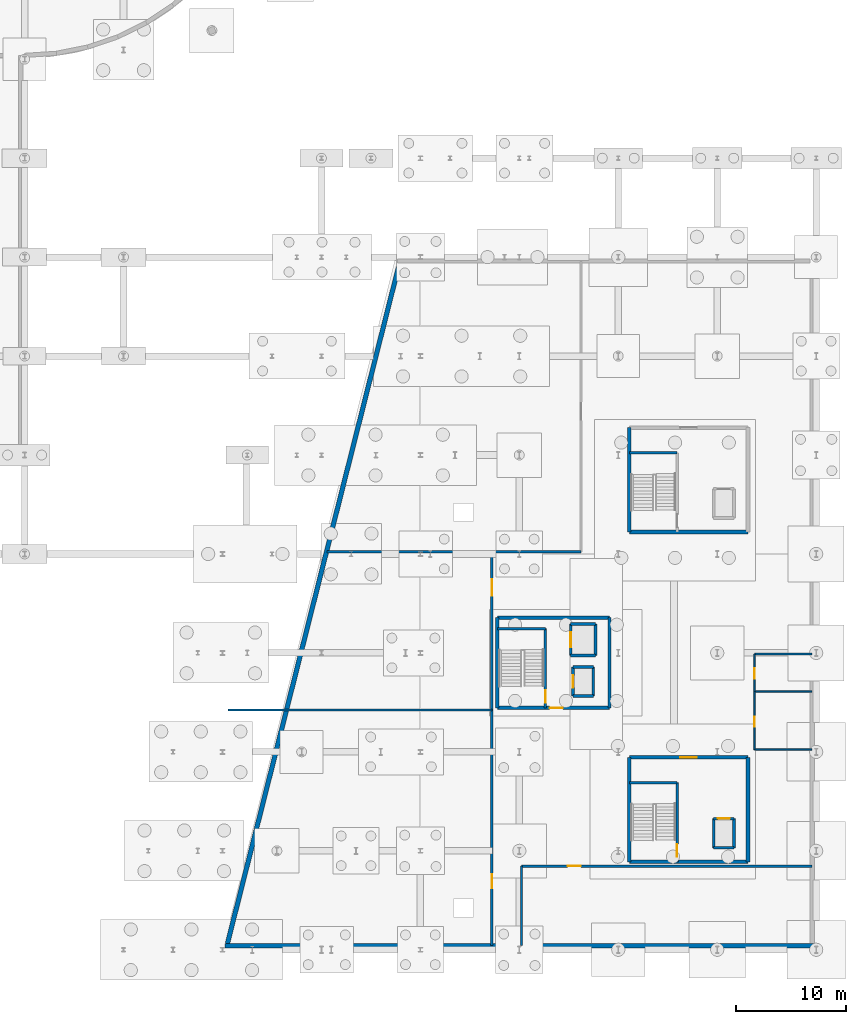
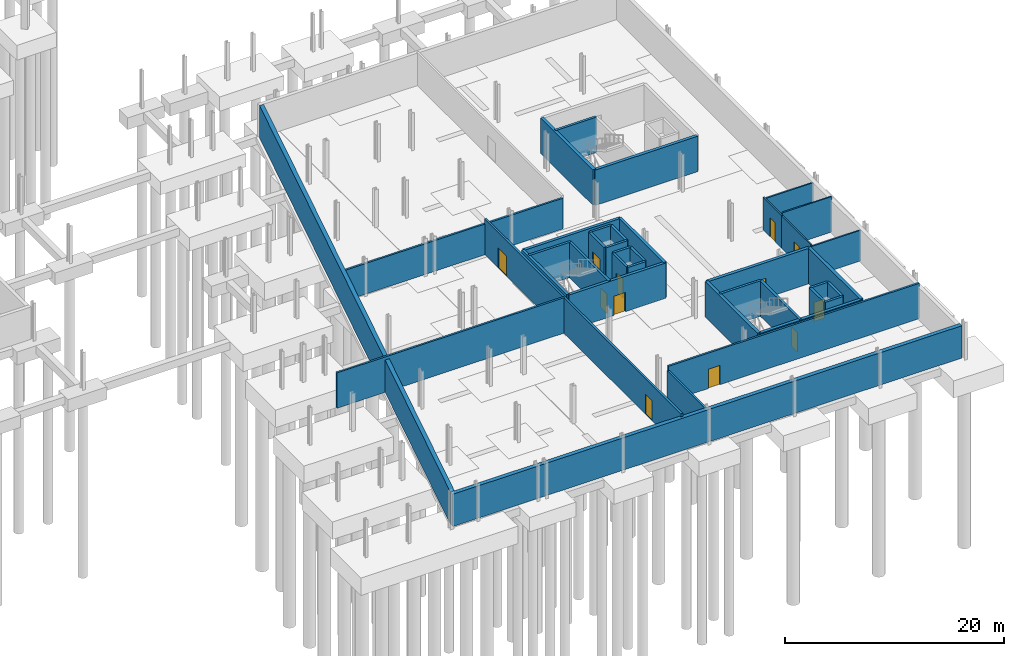
# One storey, part 37 of 42: 39 walls, 12 doors, 12 openings.
"""IFC4 building model written with IfcOpenShell, lengths in metres."""

from ifc_helpers import new_model, si_unit, direction, frame, frame_2d, origin, place, context, subcontext, project, spatial, rectangle, extrude, material, layer, layer_set, type_object, element, fill, save


model = new_model("IFC4")

# Units and contexts
model_context = context("Model", 3, precision=1e-05, world=origin(), true_north=direction((0.0, 1.0)))
body_context = subcontext(model_context, "Body", "Model", "MODEL_VIEW")
ifc_project = project(units=[si_unit("LENGTHUNIT", "METRE"), si_unit("AREAUNIT", "SQUARE_METRE"), si_unit("VOLUMEUNIT", "CUBIC_METRE"), si_unit("PLANEANGLEUNIT", "RADIAN"), si_unit("MASSUNIT", "GRAM", prefix="KILO")], contexts=[model_context])

# Site, building, storey
site_placement = place(None, origin())
site = spatial("IfcSite", under=ifc_project, at=site_placement, CompositionType="ELEMENT")
building_placement = place(site_placement, origin())
building = spatial("IfcBuilding", under=site, at=building_placement, Name="Deido Ridge Mobility Hub", CompositionType="ELEMENT")
storey_placement = place(building_placement, frame((0.0, 0.0, -4.199951171875)))
storey = spatial("IfcBuildingStorey", under=building, at=storey_placement, Name="B1", CompositionType="ELEMENT", Elevation=-4.199951171875)

# Wall, opening, door
ifc_material_1 = material(Name="Concrete blockwork masonry", Category="masonry")
ifc_layer_1 = layer(ifc_material_1, 0.14990234375, Name="Concrete blockwork masonry")
ifc_layer_set_1 = layer_set([ifc_layer_1], Name="Concrete blockwork masonry")
wall_type_1 = type_object("IfcWallType", Name="WL-PRT-BLK-150", PredefinedType="PARTITIONING", material=ifc_layer_set_1)
wall_1_placement = place(storey_placement, frame((174.39990234375, 18.199951171875, 0.0), z_axis=(0.0, 0.0, 1.0), x_axis=(0.0, 1.0, 0.0)))
wall_1 = element("IfcWall", 1, at=wall_1_placement, inside=storey, type_object=wall_type_1, Name="B1 staff WC west wall", PredefinedType="PARTITIONING", context=body_context, shape_type="SweptSolid", body=[
    extrude(rectangle(XDim=5.300048828125, YDim=0.14990234375, at=frame_2d((2.64990234375, 0.0))), origin(), (0.0, 0.0, 1.0), 3.614990234375),
])
opening_1_placement = place(wall_1_placement, frame((2.10009765625, 0.0, 0.0)))
opening_1 = element("IfcOpeningElement", 2, at=opening_1_placement, cuts=wall_1, Name="Opening DR-B1-135", PredefinedType="OPENING", context=body_context, shape_type="SweptSolid", body=[
    extrude(rectangle(XDim=0.89990234375, YDim=2.10009765625, at=frame_2d((0.449951171875, 1.050048828125))), frame((0.0, 0.0849609375, 0.0), z_axis=(0.0, -1.0, 0.0), x_axis=(1.0, 0.0, 0.0)), (0.0, 0.0, 1.0), 0.169921875),
])
ifc_material_2 = material(Name="Treated tropical hardwood timber D40", Category="wood")
door_type_1 = type_object("IfcDoorType", Name="DR-INT-900X2100", OperationType="NOTDEFINED", PredefinedType="DOOR", material=ifc_material_2)
door_1_placement = place(opening_1_placement, origin())
door_1 = element("IfcDoor", 3, at=door_1_placement, inside=storey, type_object=door_type_1, Name="DR-I0135 Staff accessible WC door B1", OperationType="SINGLE_SWING_RIGHT", OverallHeight=2.10009765625, OverallWidth=0.89990234375, PredefinedType="DOOR", context=body_context, shape_type="SweptSolid", body=[
    extrude(rectangle(XDim=0.89990234375, YDim=2.10009765625, at=frame_2d((0.449951171875, 1.050048828125))), frame((0.0, 0.02490234375, 0.0), z_axis=(0.0, -1.0, 0.0), x_axis=(1.0, 0.0, 0.0)), (0.0, 0.0, 1.0), 0.050048828125),
])
fill(opening_1, door_1)

wall_2_placement = place(storey_placement, frame((174.39990234375, 23.5, 0.0), z_axis=(0.0, 0.0, 1.0), x_axis=(0.0, 1.0, 0.0)))
wall_2 = element("IfcWall", 4, at=wall_2_placement, inside=storey, type_object=wall_type_1, Name="B1 janitor store west wall", PredefinedType="PARTITIONING", context=body_context, shape_type="SweptSolid", body=[
    extrude(rectangle(XDim=3.39990234375, YDim=0.14990234375, at=frame_2d((1.699951171875, 0.0))), origin(), (0.0, 0.0, 1.0), 3.614990234375),
])
opening_2_placement = place(wall_2_placement, frame((1.14990234375, 0.0, 0.0)))
opening_2 = element("IfcOpeningElement", 5, at=opening_2_placement, cuts=wall_2, Name="Opening DR-B1-136", PredefinedType="OPENING", context=body_context, shape_type="SweptSolid", body=[
    extrude(rectangle(XDim=0.949951171875, YDim=2.10009765625, at=frame_2d((0.47509765625, 1.050048828125))), frame((0.0, 0.0849609375, 0.0), z_axis=(0.0, -1.0, 0.0), x_axis=(1.0, 0.0, 0.0)), (0.0, 0.0, 1.0), 0.169921875),
])
door_type_2 = type_object("IfcDoorType", Name="DR-INT-950X2100", OperationType="NOTDEFINED", PredefinedType="DOOR", material=ifc_material_2)
door_2_placement = place(opening_2_placement, origin())
door_2 = element("IfcDoor", 6, at=door_2_placement, inside=storey, type_object=door_type_2, Name="DR-I0136 Basement janitor store door B1", OperationType="SINGLE_SWING_LEFT", OverallHeight=2.10009765625, OverallWidth=0.949951171875, PredefinedType="DOOR", context=body_context, shape_type="SweptSolid", body=[
    extrude(rectangle(XDim=0.949951171875, YDim=2.10009765625, at=frame_2d((0.47509765625, 1.050048828125))), frame((0.0, 0.02490234375, 0.0), z_axis=(0.0, -1.0, 0.0), x_axis=(1.0, 0.0, 0.0)), (0.0, 0.0, 1.0), 0.050048828125),
])
fill(opening_2, door_2)

# Walls
wall_3_placement = place(storey_placement, frame((174.39990234375, 18.199951171875, 0.0), z_axis=(0.0, 0.0, 1.0), x_axis=(1.0, 0.0, 0.0)))
element("IfcWall", 7, at=wall_3_placement, inside=storey, type_object=wall_type_1, Name="B1 staff WC south wall", PredefinedType="PARTITIONING", context=body_context, shape_type="SweptSolid", body=[
    extrude(rectangle(XDim=5.2001953125, YDim=0.14990234375, at=frame_2d((2.60009765625, 0.0))), origin(), (0.0, 0.0, 1.0), 3.4150390625),
])
wall_4_placement = place(storey_placement, frame((174.39990234375, 23.5, 0.0), z_axis=(0.0, 0.0, 1.0), x_axis=(1.0, 0.0, 0.0)))
element("IfcWall", 8, at=wall_4_placement, inside=storey, type_object=wall_type_1, Name="B1 WC-janitor divider wall", PredefinedType="PARTITIONING", context=body_context, shape_type="SweptSolid", body=[
    extrude(rectangle(XDim=5.2001953125, YDim=0.14990234375, at=frame_2d((2.60009765625, 0.0))), origin(), (0.0, 0.0, 1.0), 3.93994140625),
])
wall_5_placement = place(storey_placement, frame((174.39990234375, 26.89990234375, 0.0), z_axis=(0.0, 0.0, 1.0), x_axis=(1.0, 0.0, 0.0)))
element("IfcWall", 9, at=wall_5_placement, inside=storey, type_object=wall_type_1, Name="B1 janitor store north wall", PredefinedType="PARTITIONING", context=body_context, shape_type="SweptSolid", body=[
    extrude(rectangle(XDim=5.2001953125, YDim=0.14990234375, at=frame_2d((2.60009765625, 0.0))), origin(), (0.0, 0.0, 1.0), 3.4150390625),
])

# Wall, opening, door
ifc_layer_2 = layer(ifc_material_1, 0.199951171875, Name="Concrete blockwork masonry")
ifc_layer_set_2 = layer_set([ifc_layer_2], Name="Concrete blockwork masonry")
wall_type_2 = type_object("IfcWallType", Name="WL-PRT-FIR-200", PredefinedType="PARTITIONING", material=ifc_layer_set_2)
wall_6_placement = place(storey_placement, frame((153.199951171875, 7.60009765625, 0.0), z_axis=(0.0, 0.0, 1.0), x_axis=(1.0, 0.0, 0.0)))
wall_6 = element("IfcWall", 10, at=wall_6_placement, inside=storey, type_object=wall_type_2, Name="B1 switchgear partition", PredefinedType="PARTITIONING", context=body_context, shape_type="SweptSolid", body=[
    extrude(rectangle(XDim=26.400146484375, YDim=0.199951171875, at=frame_2d((13.2001953125, 0.0))), origin(), (0.0, 0.0, 1.0), 3.93994140625),
])
opening_3_placement = place(wall_6_placement, frame((4.199951171875, 0.0, 0.0)))
opening_3 = element("IfcOpeningElement", 11, at=opening_3_placement, cuts=wall_6, Name="Opening DR-B1-134", PredefinedType="OPENING", context=body_context, shape_type="SweptSolid", body=[
    extrude(rectangle(XDim=1.199951171875, YDim=2.14990234375, at=frame_2d((0.60009765625, 1.074951171875))), frame((0.0, 0.10986328125, 0.0), z_axis=(0.0, -1.0, 0.0), x_axis=(1.0, 0.0, 0.0)), (0.0, 0.0, 1.0), 0.219970703125),
])
ifc_material_3 = material(Name="Galvanised steel work", Category="steel")
door_type_3 = type_object("IfcDoorType", Name="DR-FD60-1200X2150", OperationType="NOTDEFINED", PredefinedType="DOOR", material=ifc_material_3)
door_3_placement = place(opening_3_placement, origin())
door_3 = element("IfcDoor", 12, at=door_3_placement, inside=storey, type_object=door_type_3, Name="DR-I0134 Switchgear room door", OperationType="SINGLE_SWING_LEFT", OverallHeight=2.14990234375, OverallWidth=1.199951171875, PredefinedType="DOOR", context=body_context, shape_type="SweptSolid", body=[
    extrude(rectangle(XDim=1.199951171875, YDim=2.14990234375, at=frame_2d((0.60009765625, 1.074951171875))), frame((0.0, 0.02490234375, 0.0), z_axis=(0.0, -1.0, 0.0), x_axis=(1.0, 0.0, 0.0)), (0.0, 0.0, 1.0), 0.050048828125),
])
fill(opening_3, door_3)

# Walls
wall_7_placement = place(storey_placement, frame((153.199951171875, 0.39990234375, 0.0), z_axis=(0.0, 0.0, 1.0), x_axis=(0.0, 1.0, 0.0)))
element("IfcWall", 13, at=wall_7_placement, inside=storey, type_object=wall_type_2, Name="B1 switchgear west wall", PredefinedType="PARTITIONING", context=body_context, shape_type="SweptSolid", body=[
    extrude(rectangle(XDim=7.2001953125, YDim=0.199951171875, at=frame_2d((3.60009765625, 0.0))), origin(), (0.0, 0.0, 1.0), 3.46484375),
])
wall_8_placement = place(storey_placement, frame((126.5, 21.800048828125, 0.0), z_axis=(0.0, 0.0, 1.0), x_axis=(1.0, 0.0, 0.0)))
element("IfcWall", 14, at=wall_8_placement, inside=storey, type_object=wall_type_2, Name="Substation-generator divider", PredefinedType="PARTITIONING", context=body_context, shape_type="SweptSolid", body=[
    extrude(rectangle(XDim=24.0, YDim=0.199951171875, at=frame_2d((12.0, 0.0))), origin(), (0.0, 0.0, 1.0), 3.93994140625),
])
wall_9_placement = place(storey_placement, frame((135.5, 36.199951171875, 0.0), z_axis=(0.0, 0.0, 1.0), x_axis=(1.0, 0.0, 0.0)))
element("IfcWall", 15, at=wall_9_placement, inside=storey, type_object=wall_type_2, Name="Monsoon retention plant south wall", PredefinedType="PARTITIONING", context=body_context, shape_type="SweptSolid", body=[
    extrude(rectangle(XDim=23.10009765625, YDim=0.199951171875, at=frame_2d((11.550048828125, 0.0))), origin(), (0.0, 0.0, 1.0), 3.4150390625),
])

# Wall, openings, doors
ifc_layer_3 = layer(ifc_material_1, 0.219970703125, Name="Concrete blockwork masonry")
ifc_layer_set_3 = layer_set([ifc_layer_3], Name="Concrete blockwork masonry")
wall_type_3 = type_object("IfcWallType", Name="WL-PRT-FIR-220", PredefinedType="PARTITIONING", material=ifc_layer_set_3)
wall_10_placement = place(storey_placement, frame((150.5, 0.39990234375, 0.0), z_axis=(0.0, 0.0, 1.0), x_axis=(0.0, 1.0, 0.0)))
wall_10 = element("IfcWall", 16, at=wall_10_placement, inside=storey, type_object=wall_type_3, Name="Substation and generator EI 120 partition", PredefinedType="PARTITIONING", context=body_context, shape_type="SweptSolid", body=[
    extrude(rectangle(XDim=35.800048828125, YDim=0.219970703125, at=frame_2d((17.89990234375, 0.0))), origin(), (0.0, 0.0, 1.0), 3.93994140625),
])
opening_4_placement = place(wall_10_placement, frame((5.199951171875, 0.0, 0.0)))
opening_4 = element("IfcOpeningElement", 17, at=opening_4_placement, cuts=wall_10, Name="Opening DR-B1-137", PredefinedType="OPENING", context=body_context, shape_type="SweptSolid", body=[
    extrude(rectangle(XDim=1.25, YDim=2.199951171875, at=frame_2d((0.625, 1.10009765625))), frame((0.0, 0.1201171875, 0.0), z_axis=(0.0, -1.0, 0.0), x_axis=(1.0, 0.0, 0.0)), (0.0, 0.0, 1.0), 0.239990234375),
])
opening_5_placement = place(wall_10_placement, frame((31.800048828125, 0.0, 0.0)))
opening_5 = element("IfcOpeningElement", 18, at=opening_5_placement, cuts=wall_10, Name="Opening DR-B1-138", PredefinedType="OPENING", context=body_context, shape_type="SweptSolid", body=[
    extrude(rectangle(XDim=1.5, YDim=2.199951171875, at=frame_2d((0.75, 1.10009765625))), frame((0.0, 0.1201171875, 0.0), z_axis=(0.0, -1.0, 0.0), x_axis=(1.0, 0.0, 0.0)), (0.0, 0.0, 1.0), 0.239990234375),
])
door_type_4 = type_object("IfcDoorType", Name="DR-FD120-1250X2200", OperationType="NOTDEFINED", PredefinedType="DOOR", material=ifc_material_3)
door_4_placement = place(opening_4_placement, origin())
door_4 = element("IfcDoor", 19, at=door_4_placement, inside=storey, type_object=door_type_4, Name="DR-I0137 Substation fire door", OperationType="SINGLE_SWING_RIGHT", OverallHeight=2.199951171875, OverallWidth=1.25, PredefinedType="DOOR", context=body_context, shape_type="SweptSolid", body=[
    extrude(rectangle(XDim=1.25, YDim=2.199951171875, at=frame_2d((0.625, 1.10009765625))), frame((0.0, 0.02490234375, 0.0), z_axis=(0.0, -1.0, 0.0), x_axis=(1.0, 0.0, 0.0)), (0.0, 0.0, 1.0), 0.050048828125),
])
fill(opening_4, door_4)
door_type_5 = type_object("IfcDoorType", Name="DR-FD60-1500X2200", OperationType="DOUBLE_DOOR_SINGLE_SWING", PredefinedType="DOOR", material=ifc_material_3)
door_5_placement = place(opening_5_placement, origin())
door_5 = element("IfcDoor", 20, at=door_5_placement, inside=storey, type_object=door_type_5, Name="DR-I0138 Generator hall fire door", OperationType="DOUBLE_DOOR_SINGLE_SWING", OverallHeight=2.199951171875, OverallWidth=1.5, PredefinedType="DOOR", context=body_context, shape_type="SweptSolid", body=[
    extrude(rectangle(XDim=1.5, YDim=2.199951171875, at=frame_2d((0.75, 1.10009765625))), frame((0.0, 0.02490234375, 0.0), z_axis=(0.0, -1.0, 0.0), x_axis=(1.0, 0.0, 0.0)), (0.0, 0.0, 1.0), 0.050048828125),
])
fill(opening_5, door_5)

# Walls
ifc_material_4 = material(Name="Concrete C40/50", Category="concrete")
ifc_layer_4 = layer(ifc_material_4, 0.419921875, Name="Concrete C40/50")
ifc_layer_set_4 = layer_set([ifc_layer_4], Name="Concrete C40/50")
wall_type_4 = type_object("IfcWallType", Name="WL-RET-RC-420", PredefinedType="USERDEFINED", material=ifc_layer_set_4)
wall_11_placement = place(storey_placement, frame((126.239990234375, 0.35009765625, 0.0), z_axis=(0.0, 0.0, 1.0), x_axis=(1.0, 0.0, 0.0)))
element("IfcWall", 21, at=wall_11_placement, inside=storey, type_object=wall_type_4, Name="Basement perimeter retaining wall", ObjectType="RETAINING WALL", PredefinedType="USERDEFINED", context=body_context, shape_type="SweptSolid", body=[
    extrude(rectangle(XDim=53.6201171875, YDim=0.419921875, at=frame_2d((26.81005859375, 0.0))), origin(), (0.0, 0.0, 1.0), 3.599853515625),
])
wall_12_placement = place(storey_placement, frame((126.449951171875, 0.56005859375, 0.0), z_axis=(0.0, 0.0, 1.0), x_axis=(0.245116954548, 0.96949351653, 0.0)))
element("IfcWall", 22, at=wall_12_placement, inside=storey, type_object=wall_type_4, Name="Basement perimeter retaining wall", ObjectType="RETAINING WALL", PredefinedType="USERDEFINED", context=body_context, shape_type="SweptSolid", body=[
    extrude(rectangle(XDim=63.84765625, YDim=0.419921875, at=frame_2d((31.923828125, 0.0))), origin(), (0.0, 0.0, 1.0), 3.599853515625),
])

# Wall, opening, door
ifc_layer_5 = layer(ifc_material_4, 0.25, Name="Concrete C40/50")
ifc_layer_set_5 = layer_set([ifc_layer_5], Name="Concrete C40/50")
wall_type_5 = type_object("IfcWallType", Name="WL-SHR-RC-250", PredefinedType="SHEAR", material=ifc_layer_set_5)
wall_13_placement = place(storey_placement, frame((167.360107421875, 8.0, 0.0), z_axis=(0.0, 0.0, 1.0), x_axis=(0.0, 1.0, 0.0)))
wall_13 = element("IfcWall", 23, at=wall_13_placement, inside=storey, type_object=wall_type_5, Name="C1 stair shaft east wall", PredefinedType="SHEAR", context=body_context, shape_type="SweptSolid", body=[
    extrude(rectangle(XDim=7.199951171875, YDim=0.25, at=frame_2d((3.60009765625, 0.0))), origin(), (0.0, 0.0, 1.0), 3.93994140625),
])
opening_6_placement = place(wall_13_placement, frame((0.449951171875, 0.0, 0.0)))
opening_6 = element("IfcOpeningElement", 24, at=opening_6_placement, cuts=wall_13, Name="Opening FD-C1-B1", PredefinedType="OPENING", context=body_context, shape_type="SweptSolid", body=[
    extrude(rectangle(XDim=1.14990234375, YDim=2.14990234375, at=frame_2d((0.574951171875, 1.074951171875))), frame((0.0, 0.135009765625, 0.0), z_axis=(0.0, -1.0, 0.0), x_axis=(1.0, 0.0, 0.0)), (0.0, 0.0, 1.0), 0.27001953125),
])
door_type_6 = type_object("IfcDoorType", Name="DR-FD60-1150X2150", OperationType="NOTDEFINED", PredefinedType="DOOR", material=ifc_material_3)
door_6_placement = place(opening_6_placement, origin())
door_6 = element("IfcDoor", 25, at=door_6_placement, inside=storey, type_object=door_type_6, Name="DR-I0001 C1 protected stair door (B1)", OperationType="SINGLE_SWING_LEFT", OverallHeight=2.14990234375, OverallWidth=1.14990234375, PredefinedType="DOOR", context=body_context, shape_type="SweptSolid", body=[
    extrude(rectangle(XDim=1.14990234375, YDim=2.14990234375, at=frame_2d((0.574951171875, 1.074951171875))), frame((0.0, 0.02490234375, 0.0), z_axis=(0.0, -1.0, 0.0), x_axis=(1.0, 0.0, 0.0)), (0.0, 0.0, 1.0), 0.050048828125),
])
fill(opening_6, door_6)

# Walls
wall_14_placement = place(storey_placement, frame((163.0, 15.199951171875, 0.0), z_axis=(0.0, 0.0, 1.0), x_axis=(1.0, 0.0, 0.0)))
element("IfcWall", 26, at=wall_14_placement, inside=storey, type_object=wall_type_5, Name="C1 stair shaft north wall", PredefinedType="SHEAR", context=body_context, shape_type="SweptSolid", body=[
    extrude(rectangle(XDim=4.360107421875, YDim=0.25, at=frame_2d((2.18017578125, 0.0))), origin(), (0.0, 0.0, 1.0), 3.93994140625),
])
wall_15_placement = place(storey_placement, frame((170.675048828125, 9.27490234375, 0.0), z_axis=(0.0, 0.0, 1.0), x_axis=(1.0, 0.0, 0.0)))
element("IfcWall", 27, at=wall_15_placement, inside=storey, type_object=wall_type_5, Name="Lift FL1 rear shaft wall", PredefinedType="SHEAR", context=body_context, shape_type="SweptSolid", body=[
    extrude(rectangle(XDim=1.849853515625, YDim=0.25, at=frame_2d((0.9248046875, 0.0))), origin(), (0.0, 0.0, 1.0), 3.93994140625),
])
for number, where, z_axis, x_axis, name in (
    (28, (170.675048828125, 9.27490234375, 0.0), (0.0, 0.0, 1.0), (0.0, 1.0, 0.0), "Lift FL1 west shaft wall"),
    (29, (172.52490234375, 9.27490234375, 0.0), (0.0, 0.0, 1.0), (0.0, 1.0, 0.0), "Lift FL1 east shaft wall"),
):
    element("IfcWall", number, at=place(storey_placement, frame(where, z_axis=z_axis, x_axis=x_axis)), inside=storey, type_object=wall_type_5, Name=name, PredefinedType="SHEAR", context=body_context, shape_type="SweptSolid", body=[
        extrude(rectangle(XDim=2.650146484375, YDim=0.25, at=frame_2d((1.3251953125, 0.0))), origin(), (0.0, 0.0, 1.0), 3.93994140625),
    ])

# Wall, opening, door
wall_16_placement = place(storey_placement, frame((170.675048828125, 11.925048828125, 0.0), z_axis=(0.0, 0.0, 1.0), x_axis=(1.0, 0.0, 0.0)))
wall_16 = element("IfcWall", 30, at=wall_16_placement, inside=storey, type_object=wall_type_5, Name="Lift FL1 landing wall", PredefinedType="SHEAR", context=body_context, shape_type="SweptSolid", body=[
    extrude(rectangle(XDim=1.849853515625, YDim=0.25, at=frame_2d((0.9248046875, 0.0))), origin(), (0.0, 0.0, 1.0), 3.93994140625),
])
opening_7_placement = place(wall_16_placement, frame((0.375, 0.0, 0.0)))
opening_7 = element("IfcOpeningElement", 31, at=opening_7_placement, cuts=wall_16, Name="Opening LD-FL1", PredefinedType="OPENING", context=body_context, shape_type="SweptSolid", body=[
    extrude(rectangle(XDim=1.10009765625, YDim=2.14990234375, at=frame_2d((0.550048828125, 1.074951171875))), frame((0.0, 0.135009765625, 0.0), z_axis=(0.0, -1.0, 0.0), x_axis=(1.0, 0.0, 0.0)), (0.0, 0.0, 1.0), 0.27001953125),
])
ifc_material_5 = material(Name="Stainless steel 316", Category="steel")
door_type_7 = type_object("IfcDoorType", Name="DR-LND-PAS-1100X2150", OperationType="DOUBLE_DOOR_SLIDING", PredefinedType="USERDEFINED", material=ifc_material_5)
door_7_placement = place(opening_7_placement, origin())
door_7 = element("IfcDoor", 32, at=door_7_placement, inside=storey, type_object=door_type_7, Name="DR-I0003 Lift FL1 sliding landing door (B1)", ObjectType="LANDING DOOR", OperationType="DOUBLE_DOOR_SLIDING", OverallHeight=2.14990234375, OverallWidth=1.10009765625, PredefinedType="USERDEFINED", context=body_context, shape_type="SweptSolid", body=[
    extrude(rectangle(XDim=1.10009765625, YDim=2.14990234375, at=frame_2d((0.550048828125, 1.074951171875))), frame((0.0, 0.02490234375, 0.0), z_axis=(0.0, -1.0, 0.0), x_axis=(1.0, 0.0, 0.0)), (0.0, 0.0, 1.0), 0.050048828125),
])
fill(opening_7, door_7)

# Wall
wall_17_placement = place(storey_placement, frame((163.0, 45.199951171875, 0.0), z_axis=(0.0, 0.0, 1.0), x_axis=(1.0, 0.0, 0.0)))
element("IfcWall", 33, at=wall_17_placement, inside=storey, type_object=wall_type_5, Name="C2 stair shaft north wall", PredefinedType="SHEAR", context=body_context, shape_type="SweptSolid", body=[
    extrude(rectangle(XDim=4.360107421875, YDim=0.25, at=frame_2d((2.18017578125, 0.0))), origin(), (0.0, 0.0, 1.0), 3.93994140625),
])

# Wall, opening, door
wall_18_placement = place(storey_placement, frame((155.360107421875, 22.0, 0.0), z_axis=(0.0, 0.0, 1.0), x_axis=(0.0, 1.0, 0.0)))
wall_18 = element("IfcWall", 34, at=wall_18_placement, inside=storey, type_object=wall_type_5, Name="C3 stair shaft east wall", PredefinedType="SHEAR", context=body_context, shape_type="SweptSolid", body=[
    extrude(rectangle(XDim=7.199951171875, YDim=0.25, at=frame_2d((3.60009765625, 0.0))), origin(), (0.0, 0.0, 1.0), 3.93994140625),
])
opening_8_placement = place(wall_18_placement, frame((0.449951171875, 0.0, 0.0)))
opening_8 = element("IfcOpeningElement", 35, at=opening_8_placement, cuts=wall_18, Name="Opening FD-C3-B1", PredefinedType="OPENING", context=body_context, shape_type="SweptSolid", body=[
    extrude(rectangle(XDim=1.14990234375, YDim=2.14990234375, at=frame_2d((0.574951171875, 1.074951171875))), frame((0.0, 0.135009765625, 0.0), z_axis=(0.0, -1.0, 0.0), x_axis=(1.0, 0.0, 0.0)), (0.0, 0.0, 1.0), 0.27001953125),
])
door_8_placement = place(opening_8_placement, origin())
door_8 = element("IfcDoor", 36, at=door_8_placement, inside=storey, type_object=door_type_6, Name="DR-I0049 C3 protected stair door (B1)", OperationType="SINGLE_SWING_LEFT", OverallHeight=2.14990234375, OverallWidth=1.14990234375, PredefinedType="DOOR", context=body_context, shape_type="SweptSolid", body=[
    extrude(rectangle(XDim=1.14990234375, YDim=2.14990234375, at=frame_2d((0.574951171875, 1.074951171875))), frame((0.0, 0.02490234375, 0.0), z_axis=(0.0, -1.0, 0.0), x_axis=(1.0, 0.0, 0.0)), (0.0, 0.0, 1.0), 0.050048828125),
])
fill(opening_8, door_8)

# Walls
wall_19_placement = place(storey_placement, frame((151.0, 29.199951171875, 0.0), z_axis=(0.0, 0.0, 1.0), x_axis=(1.0, 0.0, 0.0)))
element("IfcWall", 37, at=wall_19_placement, inside=storey, type_object=wall_type_5, Name="C3 stair shaft north wall", PredefinedType="SHEAR", context=body_context, shape_type="SweptSolid", body=[
    extrude(rectangle(XDim=4.360107421875, YDim=0.25, at=frame_2d((2.18017578125, 0.0))), origin(), (0.0, 0.0, 1.0), 3.93994140625),
])
for number, where, z_axis, x_axis, name in (
    (38, (157.875, 23.074951171875, 0.0), (0.0, 0.0, 1.0), (1.0, 0.0, 0.0), "Lift PL1 south shaft wall"),
    (39, (157.875, 25.72509765625, 0.0), (0.0, 0.0, 1.0), (1.0, 0.0, 0.0), "Lift PL1 north shaft wall"),
):
    element("IfcWall", number, at=place(storey_placement, frame(where, z_axis=z_axis, x_axis=x_axis)), inside=storey, type_object=wall_type_5, Name=name, PredefinedType="SHEAR", context=body_context, shape_type="SweptSolid", body=[
        extrude(rectangle(XDim=1.85009765625, YDim=0.25, at=frame_2d((0.925048828125, 0.0))), origin(), (0.0, 0.0, 1.0), 3.93994140625),
    ])
wall_20_placement = place(storey_placement, frame((159.72509765625, 23.074951171875, 0.0), z_axis=(0.0, 0.0, 1.0), x_axis=(0.0, 1.0, 0.0)))
element("IfcWall", 40, at=wall_20_placement, inside=storey, type_object=wall_type_5, Name="Lift PL1 rear shaft wall", PredefinedType="SHEAR", context=body_context, shape_type="SweptSolid", body=[
    extrude(rectangle(XDim=2.650146484375, YDim=0.25, at=frame_2d((1.3251953125, 0.0))), origin(), (0.0, 0.0, 1.0), 3.93994140625),
])

# Wall, opening, door
wall_21_placement = place(storey_placement, frame((157.875, 23.074951171875, 0.0), z_axis=(0.0, 0.0, 1.0), x_axis=(0.0, 1.0, 0.0)))
wall_21 = element("IfcWall", 41, at=wall_21_placement, inside=storey, type_object=wall_type_5, Name="Lift PL1 landing wall", PredefinedType="SHEAR", context=body_context, shape_type="SweptSolid", body=[
    extrude(rectangle(XDim=2.650146484375, YDim=0.25, at=frame_2d((1.3251953125, 0.0))), origin(), (0.0, 0.0, 1.0), 3.93994140625),
])
opening_9_placement = place(wall_21_placement, frame((0.77490234375, 0.0, 0.0)))
opening_9 = element("IfcOpeningElement", 42, at=opening_9_placement, cuts=wall_21, Name="Opening LD-PL1", PredefinedType="OPENING", context=body_context, shape_type="SweptSolid", body=[
    extrude(rectangle(XDim=1.10009765625, YDim=2.14990234375, at=frame_2d((0.550048828125, 1.074951171875))), frame((0.0, 0.135009765625, 0.0), z_axis=(0.0, -1.0, 0.0), x_axis=(1.0, 0.0, 0.0)), (0.0, 0.0, 1.0), 0.27001953125),
])
door_9_placement = place(opening_9_placement, origin())
door_9 = element("IfcDoor", 43, at=door_9_placement, inside=storey, type_object=door_type_7, Name="DR-I0051 Lift PL1 sliding landing door (B1)", ObjectType="LANDING DOOR", OperationType="DOUBLE_DOOR_SLIDING", OverallHeight=2.14990234375, OverallWidth=1.10009765625, PredefinedType="USERDEFINED", context=body_context, shape_type="SweptSolid", body=[
    extrude(rectangle(XDim=1.10009765625, YDim=2.14990234375, at=frame_2d((0.550048828125, 1.074951171875))), frame((0.0, 0.02490234375, 0.0), z_axis=(0.0, -1.0, 0.0), x_axis=(1.0, 0.0, 0.0)), (0.0, 0.0, 1.0), 0.050048828125),
])
fill(opening_9, door_9)

# Walls
for number, where, z_axis, x_axis, name in (
    (44, (157.675048828125, 26.77490234375, 0.0), (0.0, 0.0, 1.0), (1.0, 0.0, 0.0), "Lift GL1 south shaft wall"),
    (45, (157.675048828125, 29.625, 0.0), (0.0, 0.0, 1.0), (1.0, 0.0, 0.0), "Lift GL1 north shaft wall"),
):
    element("IfcWall", number, at=place(storey_placement, frame(where, z_axis=z_axis, x_axis=x_axis)), inside=storey, type_object=wall_type_5, Name=name, PredefinedType="SHEAR", context=body_context, shape_type="SweptSolid", body=[
        extrude(rectangle(XDim=2.25, YDim=0.25, at=frame_2d((1.125, 0.0))), origin(), (0.0, 0.0, 1.0), 3.93994140625),
    ])
wall_22_placement = place(storey_placement, frame((159.925048828125, 26.77490234375, 0.0), z_axis=(0.0, 0.0, 1.0), x_axis=(0.0, 1.0, 0.0)))
element("IfcWall", 46, at=wall_22_placement, inside=storey, type_object=wall_type_5, Name="Lift GL1 rear shaft wall", PredefinedType="SHEAR", context=body_context, shape_type="SweptSolid", body=[
    extrude(rectangle(XDim=2.85009765625, YDim=0.25, at=frame_2d((1.425048828125, 0.0))), origin(), (0.0, 0.0, 1.0), 3.93994140625),
])

# Wall, opening, door
wall_23_placement = place(storey_placement, frame((157.675048828125, 26.77490234375, 0.0), z_axis=(0.0, 0.0, 1.0), x_axis=(0.0, 1.0, 0.0)))
wall_23 = element("IfcWall", 47, at=wall_23_placement, inside=storey, type_object=wall_type_5, Name="Lift GL1 landing wall", PredefinedType="SHEAR", context=body_context, shape_type="SweptSolid", body=[
    extrude(rectangle(XDim=2.85009765625, YDim=0.25, at=frame_2d((1.425048828125, 0.0))), origin(), (0.0, 0.0, 1.0), 3.93994140625),
])
opening_10_placement = place(wall_23_placement, frame((0.72509765625, 0.0, 0.0)))
opening_10 = element("IfcOpeningElement", 48, at=opening_10_placement, cuts=wall_23, Name="Opening LD-GL1", PredefinedType="OPENING", context=body_context, shape_type="SweptSolid", body=[
    extrude(rectangle(XDim=1.39990234375, YDim=2.199951171875, at=frame_2d((0.699951171875, 1.10009765625))), frame((0.0, 0.135009765625, 0.0), z_axis=(0.0, -1.0, 0.0), x_axis=(1.0, 0.0, 0.0)), (0.0, 0.0, 1.0), 0.27001953125),
])
door_type_8 = type_object("IfcDoorType", Name="DR-LND-GDS-1400X2200", OperationType="DOUBLE_DOOR_SLIDING", PredefinedType="USERDEFINED", material=ifc_material_5)
door_10_placement = place(opening_10_placement, origin())
door_10 = element("IfcDoor", 49, at=door_10_placement, inside=storey, type_object=door_type_8, Name="DR-I0052 Lift GL1 sliding landing door (B1)", ObjectType="LANDING DOOR", OperationType="DOUBLE_DOOR_SLIDING", OverallHeight=2.199951171875, OverallWidth=1.39990234375, PredefinedType="USERDEFINED", context=body_context, shape_type="SweptSolid", body=[
    extrude(rectangle(XDim=1.39990234375, YDim=2.199951171875, at=frame_2d((0.699951171875, 1.10009765625))), frame((0.0, 0.02490234375, 0.0), z_axis=(0.0, -1.0, 0.0), x_axis=(1.0, 0.0, 0.0)), (0.0, 0.0, 1.0), 0.050048828125),
])
fill(opening_10, door_10)

ifc_layer_6 = layer(ifc_material_4, 0.300048828125, Name="Concrete C40/50")
ifc_layer_set_6 = layer_set([ifc_layer_6], Name="Concrete C40/50")
wall_type_6 = type_object("IfcWallType", Name="WL-SHR-RC-300", PredefinedType="SHEAR", material=ifc_layer_set_6)
wall_24_placement = place(storey_placement, frame((151.0, 22.0, 0.0), z_axis=(0.0, 0.0, 1.0), x_axis=(1.0, 0.0, 0.0)))
wall_24 = element("IfcWall", 50, at=wall_24_placement, inside=storey, type_object=wall_type_6, Name="C3 south shear wall", PredefinedType="SHEAR", context=body_context, shape_type="SweptSolid", body=[
    extrude(rectangle(XDim=10.199951171875, YDim=0.300048828125, at=frame_2d((5.10009765625, 0.0))), origin(), (0.0, 0.0, 1.0), 3.93994140625),
])
opening_11_placement = place(wall_24_placement, frame((4.75, 0.0, 0.0)))
opening_11 = element("IfcOpeningElement", 51, at=opening_11_placement, cuts=wall_24, Name="Opening LD-C3-050", PredefinedType="OPENING", context=body_context, shape_type="SweptSolid", body=[
    extrude(rectangle(XDim=1.199951171875, YDim=2.14990234375, at=frame_2d((0.60009765625, 1.074951171875))), frame((0.0, 0.16015625, 0.0), z_axis=(0.0, -1.0, 0.0), x_axis=(1.0, 0.0, 0.0)), (0.0, 0.0, 1.0), 0.320068359375),
])
door_11_placement = place(opening_11_placement, origin())
door_11 = element("IfcDoor", 52, at=door_11_placement, inside=storey, type_object=door_type_3, Name="DR-I0050 C3 lift lobby door (B1)", OperationType="SINGLE_SWING_RIGHT", OverallHeight=2.14990234375, OverallWidth=1.199951171875, PredefinedType="DOOR", context=body_context, shape_type="SweptSolid", body=[
    extrude(rectangle(XDim=1.199951171875, YDim=2.14990234375, at=frame_2d((0.60009765625, 1.074951171875))), frame((0.0, 0.02490234375, 0.0), z_axis=(0.0, -1.0, 0.0), x_axis=(1.0, 0.0, 0.0)), (0.0, 0.0, 1.0), 0.050048828125),
])
fill(opening_11, door_11)

# Walls
wall_25_placement = place(storey_placement, frame((161.199951171875, 22.0, 0.0), z_axis=(0.0, 0.0, 1.0), x_axis=(0.0, 1.0, 0.0)))
element("IfcWall", 53, at=wall_25_placement, inside=storey, type_object=wall_type_6, Name="C3 east shear wall", PredefinedType="SHEAR", context=body_context, shape_type="SweptSolid", body=[
    extrude(rectangle(XDim=8.199951171875, YDim=0.300048828125, at=frame_2d((4.10009765625, 0.0))), origin(), (0.0, 0.0, 1.0), 3.93994140625),
])
wall_26_placement = place(storey_placement, frame((161.199951171875, 30.199951171875, 0.0), z_axis=(0.0, 0.0, 1.0), x_axis=(-1.0, 0.0, 0.0)))
element("IfcWall", 54, at=wall_26_placement, inside=storey, type_object=wall_type_6, Name="C3 north shear wall", PredefinedType="SHEAR", context=body_context, shape_type="SweptSolid", body=[
    extrude(rectangle(XDim=10.199951171875, YDim=0.300048828125, at=frame_2d((5.10009765625, 0.0))), origin(), (0.0, 0.0, 1.0), 3.93994140625),
])
wall_27_placement = place(storey_placement, frame((151.0, 30.199951171875, 0.0), z_axis=(0.0, 0.0, 1.0), x_axis=(0.0, -1.0, 0.0)))
element("IfcWall", 55, at=wall_27_placement, inside=storey, type_object=wall_type_6, Name="C3 west shear wall", PredefinedType="SHEAR", context=body_context, shape_type="SweptSolid", body=[
    extrude(rectangle(XDim=8.199951171875, YDim=0.300048828125, at=frame_2d((4.10009765625, 0.0))), origin(), (0.0, 0.0, 1.0), 3.93994140625),
])
ifc_layer_7 = layer(ifc_material_4, 0.324951171875, Name="Concrete C40/50")
ifc_layer_set_7 = layer_set([ifc_layer_7], Name="Concrete C40/50")
wall_type_7 = type_object("IfcWallType", Name="WL-SHR-RC-325", PredefinedType="SHEAR", material=ifc_layer_set_7)
wall_28_placement = place(storey_placement, frame((163.0, 8.0, 0.0), z_axis=(0.0, 0.0, 1.0), x_axis=(1.0, 0.0, 0.0)))
element("IfcWall", 56, at=wall_28_placement, inside=storey, type_object=wall_type_7, Name="C1 south shear wall", PredefinedType="SHEAR", context=body_context, shape_type="SweptSolid", body=[
    extrude(rectangle(XDim=10.800048828125, YDim=0.324951171875, at=frame_2d((5.39990234375, 0.0))), origin(), (0.0, 0.0, 1.0), 3.93994140625),
])
wall_29_placement = place(storey_placement, frame((173.800048828125, 8.0, 0.0), z_axis=(0.0, 0.0, 1.0), x_axis=(0.0, 1.0, 0.0)))
element("IfcWall", 57, at=wall_29_placement, inside=storey, type_object=wall_type_7, Name="C1 east shear wall", PredefinedType="SHEAR", context=body_context, shape_type="SweptSolid", body=[
    extrude(rectangle(XDim=9.5, YDim=0.324951171875, at=frame_2d((4.75, 0.0))), origin(), (0.0, 0.0, 1.0), 3.93994140625),
])

# Wall, opening, door
wall_30_placement = place(storey_placement, frame((173.800048828125, 17.5, 0.0), z_axis=(0.0, 0.0, 1.0), x_axis=(-1.0, 0.0, 0.0)))
wall_30 = element("IfcWall", 58, at=wall_30_placement, inside=storey, type_object=wall_type_7, Name="C1 north shear wall", PredefinedType="SHEAR", context=body_context, shape_type="SweptSolid", body=[
    extrude(rectangle(XDim=10.800048828125, YDim=0.324951171875, at=frame_2d((5.39990234375, 0.0))), origin(), (0.0, 0.0, 1.0), 3.93994140625),
])
opening_12_placement = place(wall_30_placement, frame((4.64990234375, 0.0, 0.0)))
opening_12 = element("IfcOpeningElement", 59, at=opening_12_placement, cuts=wall_30, Name="Opening LD-C1-002", PredefinedType="OPENING", context=body_context, shape_type="SweptSolid", body=[
    extrude(rectangle(XDim=1.5, YDim=2.199951171875, at=frame_2d((0.75, 1.10009765625))), frame((0.0, 0.17236328125, 0.0), z_axis=(0.0, -1.0, 0.0), x_axis=(1.0, 0.0, 0.0)), (0.0, 0.0, 1.0), 0.344970703125),
])
door_12_placement = place(opening_12_placement, origin())
door_12 = element("IfcDoor", 60, at=door_12_placement, inside=storey, type_object=door_type_5, Name="DR-I0002 C1 firefighting lobby door (B1)", OperationType="DOUBLE_DOOR_SINGLE_SWING", OverallHeight=2.199951171875, OverallWidth=1.5, PredefinedType="DOOR", context=body_context, shape_type="SweptSolid", body=[
    extrude(rectangle(XDim=1.5, YDim=2.199951171875, at=frame_2d((0.75, 1.10009765625))), frame((0.0, 0.02490234375, 0.0), z_axis=(0.0, -1.0, 0.0), x_axis=(1.0, 0.0, 0.0)), (0.0, 0.0, 1.0), 0.050048828125),
])
fill(opening_12, door_12)

# Walls
wall_31_placement = place(storey_placement, frame((163.0, 17.5, 0.0), z_axis=(0.0, 0.0, 1.0), x_axis=(0.0, -1.0, 0.0)))
element("IfcWall", 61, at=wall_31_placement, inside=storey, type_object=wall_type_7, Name="C1 west shear wall", PredefinedType="SHEAR", context=body_context, shape_type="SweptSolid", body=[
    extrude(rectangle(XDim=9.5, YDim=0.324951171875, at=frame_2d((4.75, 0.0))), origin(), (0.0, 0.0, 1.0), 3.93994140625),
])
wall_32_placement = place(storey_placement, frame((163.0, 38.0, 0.0), z_axis=(0.0, 0.0, 1.0), x_axis=(1.0, 0.0, 0.0)))
element("IfcWall", 62, at=wall_32_placement, inside=storey, type_object=wall_type_7, Name="C2 south shear wall", PredefinedType="SHEAR", context=body_context, shape_type="SweptSolid", body=[
    extrude(rectangle(XDim=10.800048828125, YDim=0.324951171875, at=frame_2d((5.39990234375, 0.0))), origin(), (0.0, 0.0, 1.0), 3.93994140625),
])
wall_33_placement = place(storey_placement, frame((163.0, 47.5, 0.0), z_axis=(0.0, 0.0, 1.0), x_axis=(0.0, -1.0, 0.0)))
element("IfcWall", 63, at=wall_33_placement, inside=storey, type_object=wall_type_7, Name="C2 west shear wall", PredefinedType="SHEAR", context=body_context, shape_type="SweptSolid", body=[
    extrude(rectangle(XDim=9.5, YDim=0.324951171875, at=frame_2d((4.75, 0.0))), origin(), (0.0, 0.0, 1.0), 3.93994140625),
])

save(model, "model.ifc")
